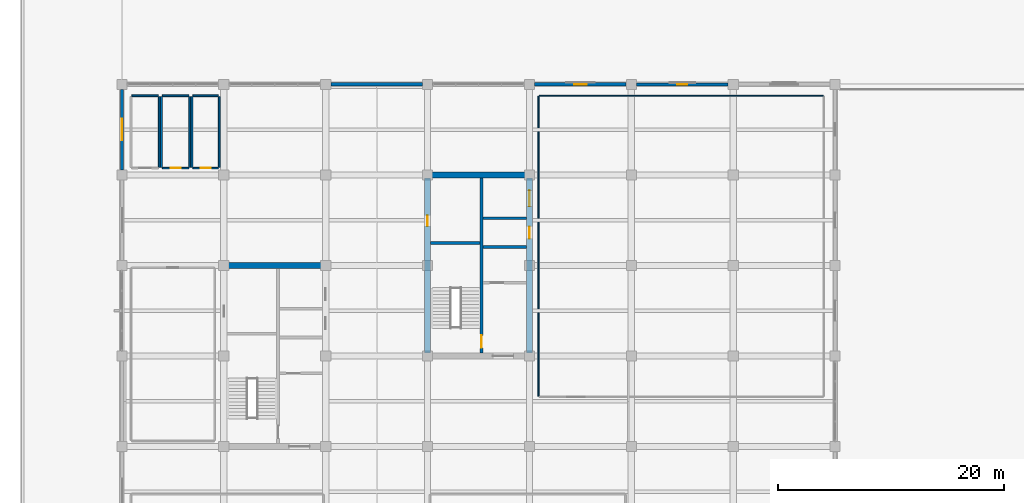
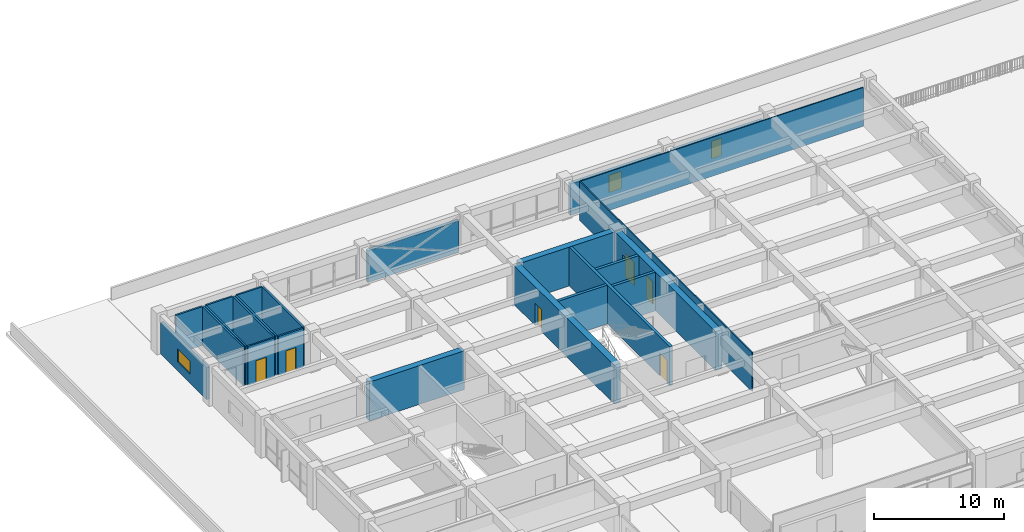
# One storey, part 21 of 34: 24 walls, 6 doors, 3 windows, 9 openings.
"""IFC4 building model written with IfcOpenShell, lengths in metres."""

import ifcopenshell
import ifcopenshell.guid

model = None  # the IFC model being written
_history = None  # IfcOwnerHistory: only IFC2X3 demands one
_inside = {}  # id of a spatial element -> (the spatial element, [elements in it])
_under = {}  # id of a project, library or spatial element -> (it, [spatial elements below it])
_declared = {}  # id of a project -> (the project, [libraries it declares])
_typed = {}  # id of a type object -> (the type object, [elements of that type])
_made_of = {}  # id of a material, layer set ... -> (it, [elements and type objects made of it])


def new_model(schema):
    """Start an empty IFC model of exactly this schema.

    Asked for "IFC4X3", IfcOpenShell would pick the latest addendum, in which some entities
    have other attributes; the version numbers below select the first issue.
    IFC2X3 requires an IfcOwnerHistory on every rooted entity: one is made here for all.
    """
    global model, _history
    if schema == "IFC4X3":
        model = ifcopenshell.file(schema_version=(4, 3, 0, 0))
    else:
        model = ifcopenshell.file(schema=schema)
    _inside.clear()
    _under.clear()
    _declared.clear()
    _typed.clear()
    _made_of.clear()
    _history = None
    if model.schema == "IFC2X3":
        org = make("IfcOrganization", Name="unknown")
        user = make(
            "IfcPersonAndOrganization",
            ThePerson=make("IfcPerson", FamilyName="unknown"),
            TheOrganization=org,
        )
        app = make(
            "IfcApplication",
            ApplicationDeveloper=org,
            Version="unknown",
            ApplicationFullName="unknown",
            ApplicationIdentifier="unknown",
        )
        _history = make(
            "IfcOwnerHistory",
            OwningUser=user,
            OwningApplication=app,
            ChangeAction="ADDED",
            CreationDate=0,
        )
    return model


def make(cls, **values):
    """One entity of the class cls with the attributes given. An attribute that is None is left unset."""
    return model.create_entity(
        cls, **{name: value for name, value in values.items() if value is not None}
    )


def rooted(cls, **values):
    """An entity with a GlobalId (a new one), such as an element, a storey or a relation."""
    return make(cls, GlobalId=ifcopenshell.guid.new(), OwnerHistory=_history, **values)


def si_unit(unit_type, name, prefix=None):
    """IfcSIUnit, for example si_unit("LENGTHUNIT", "METRE", prefix="MILLI")."""
    return make("IfcSIUnit", UnitType=unit_type, Prefix=prefix, Name=name)


def assignment(units):
    """IfcUnitAssignment: the units of a project."""
    return None if units is None else make("IfcUnitAssignment", Units=units)


def point(xyz):
    """IfcCartesianPoint."""
    return None if xyz is None else make("IfcCartesianPoint", Coordinates=xyz)


def direction(xyz):
    """IfcDirection."""
    return None if xyz is None else make("IfcDirection", DirectionRatios=xyz)


def frame(location, z_axis=None, x_axis=None):
    """IfcAxis2Placement3D, a coordinate frame: its origin and axes. An axis left out is left unset."""
    return make(
        "IfcAxis2Placement3D",
        Location=point(location),
        Axis=direction(z_axis),
        RefDirection=direction(x_axis),
    )


def frame_2d(location, x_axis=None):
    """IfcAxis2Placement2D, a coordinate frame in the plane: its origin and x axis."""
    return make(
        "IfcAxis2Placement2D", Location=point(location), RefDirection=direction(x_axis)
    )


def origin():
    """The frame at (0, 0, 0) with its axes left unset."""
    return frame((0.0, 0.0, 0.0))


def place(relative_to, where):
    """IfcLocalPlacement: puts the frame where relative to a parent placement (None: the world)."""
    return make(
        "IfcLocalPlacement", PlacementRelTo=relative_to, RelativePlacement=where
    )


def context(
    kind, dimensions, precision=None, world=None, true_north=None, identifier=None
):
    """IfcGeometricRepresentationContext, for example the 3D "Model" context."""
    return make(
        "IfcGeometricRepresentationContext",
        ContextIdentifier=identifier,
        ContextType=kind,
        CoordinateSpaceDimension=dimensions,
        Precision=precision,
        WorldCoordinateSystem=world,
        TrueNorth=true_north,
    )


def subcontext(parent, identifier, kind, view, scale=None):
    """IfcGeometricRepresentationSubContext, for example "Body" below "Model"."""
    return make(
        "IfcGeometricRepresentationSubContext",
        ContextIdentifier=identifier,
        ContextType=kind,
        ParentContext=parent,
        TargetScale=scale,
        TargetView=view,
    )


def project(units=None, contexts=None):
    """IfcProject with its units and contexts."""
    return rooted(
        "IfcProject",
        Name="project",
        RepresentationContexts=contexts,
        UnitsInContext=assignment(units),
    )


def spatial(cls, under=None, at=None, **own):
    """A site, building, storey or space (cls), placed at a placement, below another one or the project."""
    s = rooted(cls, ObjectPlacement=at, **own)
    if under is not None:
        _under.setdefault(under.id(), (under, []))[1].append(s)
    return s


def profile(cls, at=None, kind="AREA", **sizes):
    """A parametric profile (cls). Its sizes go by their IFC names, for example OverallWidth=200.0."""
    return make(cls, ProfileType=kind, Position=at, **sizes)


def rectangle(**sizes):
    """IfcRectangleProfileDef."""
    return profile("IfcRectangleProfileDef", **sizes)


def extrude(swept, where, along, depth):
    """IfcExtrudedAreaSolid: the profile swept, set in the frame where, extruded along a direction by depth."""
    return make(
        "IfcExtrudedAreaSolid",
        SweptArea=swept,
        Position=where,
        ExtrudedDirection=direction(along),
        Depth=depth,
    )


def shape(context_of_items, identifier, shape_type, items):
    """IfcShapeRepresentation: the items that make up one representation, for example the "Body"."""
    return make(
        "IfcShapeRepresentation",
        ContextOfItems=context_of_items,
        RepresentationIdentifier=identifier,
        RepresentationType=shape_type,
        Items=items,
    )


def material(Name=None, Category=None):
    """IfcMaterial."""
    return make("IfcMaterial", Name=Name, Category=Category)


def layer(
    of_material, thickness, ventilated=None, Name=None, Category=None, Priority=None
):
    """IfcMaterialLayer: one layer of a wall or slab, of a material (None: an air gap)."""
    return make(
        "IfcMaterialLayer",
        Material=of_material,
        LayerThickness=thickness,
        IsVentilated=ventilated,
        Name=Name,
        Category=Category,
        Priority=Priority,
    )


def layer_set(layers, Name=None):
    """IfcMaterialLayerSet."""
    return make("IfcMaterialLayerSet", MaterialLayers=layers, LayerSetName=Name)


def made_of(thing, what):
    """Note that an element or type object is made of a material, layer set ...; save() writes the relation."""
    if what is not None:
        _made_of.setdefault(what.id(), (what, []))[1].append(thing)
    return thing


def type_object(cls, material=None, **own):
    """A type object (cls), such as IfcWallType, which elements share."""
    return made_of(rooted(cls, **own), material)


def element(
    cls,
    number,
    at=None,
    inside=None,
    cuts=None,
    type_object=None,
    material=None,
    context=None,
    identifier="Body",
    shape_type=None,
    held_by="IfcProductDefinitionShape",
    body=None,
    shapes=None,
    **own,
):
    """One element of the class cls, such as IfcWall. Its Tag is "e" and its number.

    at: its placement. inside: the storey or other place that contains it. cuts: it is an
    opening in that element (IfcRelVoidsElement). A single representation is given by context,
    identifier, shape_type and body (its items); several are given by shapes. held_by: the class
    of the entity that holds the representations. save() writes the other relations.
    """
    e = rooted(cls, Tag="e%d" % number, ObjectPlacement=at, **own)
    if body is not None:
        shapes = [shape(context, identifier, shape_type, body)]
    if shapes is not None:
        e.Representation = make(held_by, Representations=shapes)
    if inside is not None:
        _inside.setdefault(inside.id(), (inside, []))[1].append(e)
    if cuts is not None:
        rooted(
            "IfcRelVoidsElement", RelatingBuildingElement=cuts, RelatedOpeningElement=e
        )
    if type_object is not None:
        _typed.setdefault(type_object.id(), (type_object, []))[1].append(e)
    return made_of(e, material)


def fill(opening, filler):
    """IfcRelFillsElement: the door or window that sits in an opening."""
    return rooted(
        "IfcRelFillsElement",
        RelatingOpeningElement=opening,
        RelatedBuildingElement=filler,
    )


def aggregate(whole, parts):
    """IfcRelAggregates: a whole, such as a stair, and the parts it consists of."""
    return rooted("IfcRelAggregates", RelatingObject=whole, RelatedObjects=parts)


def save(model, path):
    """Write the relations noted so far, then the file.

    IfcRelAggregates (storeys below a building ...), IfcRelContainedInSpatialStructure (elements
    in a storey), IfcRelDefinesByType, IfcRelAssociatesMaterial and IfcRelDeclares: one each for
    every whole, place, type object, material and project.
    """
    for whole, parts in _under.values():
        aggregate(whole, parts)
    for where, things in _inside.values():
        rooted(
            "IfcRelContainedInSpatialStructure",
            RelatedElements=things,
            RelatingStructure=where,
        )
    for kind, things in _typed.values():
        rooted("IfcRelDefinesByType", RelatedObjects=things, RelatingType=kind)
    for what, things in _made_of.values():
        rooted("IfcRelAssociatesMaterial", RelatedObjects=things, RelatingMaterial=what)
    for by, libraries in _declared.values():
        rooted("IfcRelDeclares", RelatingContext=by, RelatedDefinitions=libraries)
    model.write(path)


model = new_model("IFC4")

# Units and contexts
model_context = context("Model", 3, precision=1e-05, world=origin(), true_north=direction((0.0, 1.0)))
body_context = subcontext(model_context, "Body", "Model", "MODEL_VIEW")
ifc_project = project(units=[si_unit("LENGTHUNIT", "METRE"), si_unit("AREAUNIT", "SQUARE_METRE"), si_unit("VOLUMEUNIT", "CUBIC_METRE"), si_unit("PLANEANGLEUNIT", "RADIAN"), si_unit("MASSUNIT", "GRAM", prefix="KILO")], contexts=[model_context])

# Site, building, storey
site_placement = place(None, origin())
site = spatial("IfcSite", under=ifc_project, at=site_placement, CompositionType="ELEMENT")
building_placement = place(site_placement, origin())
building = spatial("IfcBuilding", under=site, at=building_placement, Name="Zaverband Oceanarium and Marine Research Institute", CompositionType="ELEMENT")
storey_placement = place(building_placement, frame((0.0, 0.0, 18.0)))
storey = spatial("IfcBuildingStorey", under=building, at=storey_placement, Name="L04", CompositionType="ELEMENT", Elevation=18.0)

# Walls
ifc_material_1 = material(Name="Concrete C50/60", Category="concrete")
ifc_layer_1 = layer(ifc_material_1, 0.550048828125, Name="Concrete C50/60")
ifc_layer_set_1 = layer_set([ifc_layer_1], Name="Concrete C50/60")
wall_type_1 = type_object("IfcWallType", Name="CW-01", PredefinedType="SHEAR", material=ifc_layer_set_1)
for number, where, z_axis, x_axis, name in (
    (1, (18.27490234375, 96.0, 0.0), (0.0, 0.0, 1.0), (1.0, 0.0, 0.0), "Structural shear wall CW-01"),
    (2, (36.27490234375, 104.0, 0.0), (0.0, 0.0, 1.0), (1.0, 0.0, 0.0), "Structural shear wall CW-01"),
):
    element("IfcWall", number, at=place(storey_placement, frame(where, z_axis=z_axis, x_axis=x_axis)), inside=storey, type_object=wall_type_1, Name=name, PredefinedType="SHEAR", context=body_context, shape_type="SweptSolid", body=[
        extrude(rectangle(XDim=8.4501953125, YDim=0.550048828125, at=frame_2d((4.22509765625, 0.0))), origin(), (0.0, 0.0, 1.0), 3.64990234375),
    ])

# Wall, opening, door
wall_1_placement = place(storey_placement, frame((36.0, 88.27490234375, 0.0), z_axis=(0.0, 0.0, 1.0), x_axis=(0.0, 1.0, 0.0)))
wall_1 = element("IfcWall", 3, at=wall_1_placement, inside=storey, type_object=wall_type_1, Name="Structural shear wall CW-01", PredefinedType="SHEAR", context=body_context, shape_type="SweptSolid", body=[
    extrude(rectangle(XDim=15.4501953125, YDim=0.550048828125, at=frame_2d((7.72509765625, 0.0))), origin(), (0.0, 0.0, 1.0), 3.64990234375),
])
opening_1_placement = place(wall_1_placement, frame((11.199951171875, 0.0, 0.0)))
opening_1 = element("IfcOpeningElement", 4, at=opening_1_placement, cuts=wall_1, Name="Opening FD-03", PredefinedType="OPENING", context=body_context, shape_type="SweptSolid", body=[
    extrude(rectangle(XDim=0.949951171875, YDim=2.10009765625, at=frame_2d((0.47509765625, 1.050048828125))), frame((0.0, 0.287109375, 0.0), z_axis=(0.0, -1.0, 0.0), x_axis=(1.0, 0.0, 0.0)), (0.0, 0.0, 1.0), 0.573974609375),
])
ifc_material_2 = material(Name="Steel S355", Category="steel")
door_type_1 = type_object("IfcDoorType", Name="FD-03", OperationType="NOTDEFINED", PredefinedType="DOOR", material=ifc_material_2)
door_1_placement = place(opening_1_placement, origin())
door_1 = element("IfcDoor", 5, at=door_1_placement, inside=storey, type_object=door_type_1, Name="Service riser access fire door FD-03", OperationType="SINGLE_SWING_RIGHT", OverallHeight=2.10009765625, OverallWidth=0.949951171875, PredefinedType="DOOR", context=body_context, shape_type="SweptSolid", body=[
    extrude(rectangle(XDim=0.949951171875, YDim=2.10009765625, at=frame_2d((0.47509765625, 1.050048828125))), frame((0.0, 0.02490234375, 0.0), z_axis=(0.0, -1.0, 0.0), x_axis=(1.0, 0.0, 0.0)), (0.0, 0.0, 1.0), 0.050048828125),
])
fill(opening_1, door_1)

# Wall, openings, doors
wall_2_placement = place(storey_placement, frame((45.0, 88.27490234375, 0.0), z_axis=(0.0, 0.0, 1.0), x_axis=(0.0, 1.0, 0.0)))
wall_2 = element("IfcWall", 6, at=wall_2_placement, inside=storey, type_object=wall_type_1, Name="Structural shear wall CW-01", PredefinedType="SHEAR", context=body_context, shape_type="SweptSolid", body=[
    extrude(rectangle(XDim=15.4501953125, YDim=0.550048828125, at=frame_2d((7.72509765625, 0.0))), origin(), (0.0, 0.0, 1.0), 3.64990234375),
])
opening_2_placement = place(wall_2_placement, frame((10.10009765625, 0.0, 0.0)))
opening_2 = element("IfcOpeningElement", 7, at=opening_2_placement, cuts=wall_2, Name="Opening LD-02", PredefinedType="OPENING", context=body_context, shape_type="SweptSolid", body=[
    extrude(rectangle(XDim=1.050048828125, YDim=2.1201171875, at=frame_2d((0.52490234375, 1.06005859375))), frame((0.0, 0.287109375, 0.0), z_axis=(0.0, -1.0, 0.0), x_axis=(1.0, 0.0, 0.0)), (0.0, 0.0, 1.0), 0.573974609375),
])
opening_3_placement = place(wall_2_placement, frame((12.949951171875, 0.0, 0.0)))
opening_3 = element("IfcOpeningElement", 8, at=opening_3_placement, cuts=wall_2, Name="Opening LD-03", PredefinedType="OPENING", context=body_context, shape_type="SweptSolid", body=[
    extrude(rectangle(XDim=1.39990234375, YDim=2.199951171875, at=frame_2d((0.699951171875, 1.10009765625))), frame((0.0, 0.287109375, 0.0), z_axis=(0.0, -1.0, 0.0), x_axis=(1.0, 0.0, 0.0)), (0.0, 0.0, 1.0), 0.573974609375),
])
door_type_2 = type_object("IfcDoorType", Name="LD-02", OperationType="DOUBLE_DOOR_SLIDING", PredefinedType="DOOR", material=ifc_material_2)
door_2_placement = place(opening_2_placement, origin())
door_2 = element("IfcDoor", 9, at=door_2_placement, inside=storey, type_object=door_type_2, Name="Passenger lift sliding landing door LD-02", OperationType="DOUBLE_DOOR_SLIDING", OverallHeight=2.1201171875, OverallWidth=1.050048828125, PredefinedType="DOOR", context=body_context, shape_type="SweptSolid", body=[
    extrude(rectangle(XDim=1.050048828125, YDim=2.1201171875, at=frame_2d((0.52490234375, 1.06005859375))), frame((0.0, 0.02490234375, 0.0), z_axis=(0.0, -1.0, 0.0), x_axis=(1.0, 0.0, 0.0)), (0.0, 0.0, 1.0), 0.050048828125),
])
fill(opening_2, door_2)
door_type_3 = type_object("IfcDoorType", Name="LD-03", OperationType="DOUBLE_DOOR_SLIDING", PredefinedType="DOOR", material=ifc_material_2)
door_3_placement = place(opening_3_placement, origin())
door_3 = element("IfcDoor", 10, at=door_3_placement, inside=storey, type_object=door_type_3, Name="Specimen goods lift sliding landing door LD-03", OperationType="DOUBLE_DOOR_SLIDING", OverallHeight=2.199951171875, OverallWidth=1.39990234375, PredefinedType="DOOR", context=body_context, shape_type="SweptSolid", body=[
    extrude(rectangle(XDim=1.39990234375, YDim=2.199951171875, at=frame_2d((0.699951171875, 1.10009765625))), frame((0.0, 0.02490234375, 0.0), z_axis=(0.0, -1.0, 0.0), x_axis=(1.0, 0.0, 0.0)), (0.0, 0.0, 1.0), 0.050048828125),
])
fill(opening_3, door_3)

# Wall, opening, window
ifc_material_3 = material(Name="Concrete C40/50 precast", Category="concrete")
ifc_layer_2 = layer(ifc_material_3, 0.264892578125, Name="Concrete C40/50 precast")
ifc_layer_set_2 = layer_set([ifc_layer_2], Name="Concrete C40/50 precast")
wall_type_2 = type_object("IfcWallType", Name="EW-265", PredefinedType="STANDARD", material=ifc_layer_set_2)
wall_3_placement = place(storey_placement, frame((54.455078125, 112.0, 0.0), z_axis=(0.0, 0.0, 1.0), x_axis=(1.0, 0.0, 0.0)))
wall_3 = element("IfcWall", 11, at=wall_3_placement, inside=storey, type_object=wall_type_2, Name="Exterior infill wall EW-265", PredefinedType="STANDARD", context=body_context, shape_type="SweptSolid", body=[
    extrude(rectangle(XDim=8.08984375, YDim=0.264892578125, at=frame_2d((4.044921875, 0.0))), origin(), (0.0, 0.0, 1.0), 2.97998046875),
])
opening_4_placement = place(wall_3_placement, frame((3.594970703125, 0.0, 0.85009765625)))
opening_4 = element("IfcOpeningElement", 12, at=opening_4_placement, cuts=wall_3, Name="Opening WN-900x1650", PredefinedType="OPENING", context=body_context, shape_type="SweptSolid", body=[
    extrude(rectangle(XDim=0.89990234375, YDim=1.64990234375, at=frame_2d((0.449951171875, 0.824951171875))), frame((0.0, 0.14453125, 0.0), z_axis=(0.0, -1.0, 0.0), x_axis=(1.0, 0.0, 0.0)), (0.0, 0.0, 1.0), 0.288818359375),
])
ifc_material_4 = material(Name="Thermally broken anodized aluminium and solar-control glass", Category="aluminium")
window_type_1 = type_object("IfcWindowType", Name="WN-900x1650", PartitioningType="SINGLE_PANEL", PredefinedType="WINDOW", material=ifc_material_4)
window_1_placement = place(opening_4_placement, origin())
window_1 = element("IfcWindow", 13, at=window_1_placement, inside=storey, type_object=window_type_1, Name="Fixed / casement exterior window WN-900x1650", OverallHeight=1.64990234375, OverallWidth=0.89990234375, PartitioningType="SINGLE_PANEL", PredefinedType="WINDOW", context=body_context, shape_type="SweptSolid", body=[
    extrude(rectangle(XDim=0.89990234375, YDim=1.64990234375, at=frame_2d((0.449951171875, 0.824951171875))), frame((0.0, 0.030029296875, 0.0), z_axis=(0.0, -1.0, 0.0), x_axis=(1.0, 0.0, 0.0)), (0.0, 0.0, 1.0), 0.06005859375),
])
fill(opening_4, window_1)

wall_4_placement = place(storey_placement, frame((9.0, 104.455078125, 0.0), z_axis=(0.0, 0.0, 1.0), x_axis=(0.0, 1.0, 0.0)))
wall_4 = element("IfcWall", 14, at=wall_4_placement, inside=storey, type_object=wall_type_2, Name="Exterior infill wall EW-265", PredefinedType="STANDARD", context=body_context, shape_type="SweptSolid", body=[
    extrude(rectangle(XDim=7.08984375, YDim=0.264892578125, at=frame_2d((3.544921875, 0.0))), origin(), (0.0, 0.0, 1.0), 2.97998046875),
])
opening_5_placement = place(wall_4_placement, frame((2.594970703125, 0.0, 0.85009765625)))
opening_5 = element("IfcOpeningElement", 15, at=opening_5_placement, cuts=wall_4, Name="Opening WN-1900x1200", PredefinedType="OPENING", context=body_context, shape_type="SweptSolid", body=[
    extrude(rectangle(XDim=1.89990234375, YDim=1.199951171875, at=frame_2d((0.949951171875, 0.60009765625))), frame((0.0, 0.14453125, 0.0), z_axis=(0.0, -1.0, 0.0), x_axis=(1.0, 0.0, 0.0)), (0.0, 0.0, 1.0), 0.288818359375),
])
window_type_2 = type_object("IfcWindowType", Name="WN-1900x1200", PartitioningType="SINGLE_PANEL", PredefinedType="WINDOW", material=ifc_material_4)
window_2_placement = place(opening_5_placement, origin())
window_2 = element("IfcWindow", 16, at=window_2_placement, inside=storey, type_object=window_type_2, Name="Fixed / casement exterior window WN-1900x1200", OverallHeight=1.199951171875, OverallWidth=1.89990234375, PartitioningType="SINGLE_PANEL", PredefinedType="WINDOW", context=body_context, shape_type="SweptSolid", body=[
    extrude(rectangle(XDim=1.89990234375, YDim=1.199951171875, at=frame_2d((0.949951171875, 0.60009765625))), frame((0.0, 0.030029296875, 0.0), z_axis=(0.0, -1.0, 0.0), x_axis=(1.0, 0.0, 0.0)), (0.0, 0.0, 1.0), 0.06005859375),
])
fill(opening_5, window_2)

# Wall
ifc_layer_3 = layer(ifc_material_3, 0.2900390625, Name="Concrete C40/50 precast")
ifc_layer_set_3 = layer_set([ifc_layer_3], Name="Concrete C40/50 precast")
wall_type_3 = type_object("IfcWallType", Name="EW-290", PredefinedType="STANDARD", material=ifc_layer_set_3)
wall_5_placement = place(storey_placement, frame((27.455078125, 112.0, 0.0), z_axis=(0.0, 0.0, 1.0), x_axis=(1.0, 0.0, 0.0)))
element("IfcWall", 17, at=wall_5_placement, inside=storey, type_object=wall_type_3, Name="Exterior infill wall EW-290", PredefinedType="STANDARD", context=body_context, shape_type="SweptSolid", body=[
    extrude(rectangle(XDim=8.08984375, YDim=0.2900390625, at=frame_2d((4.044921875, 0.0))), origin(), (0.0, 0.0, 1.0), 2.97998046875),
])

# Wall, opening, window
wall_6_placement = place(storey_placement, frame((45.455078125, 112.0, 0.0), z_axis=(0.0, 0.0, 1.0), x_axis=(1.0, 0.0, 0.0)))
wall_6 = element("IfcWall", 18, at=wall_6_placement, inside=storey, type_object=wall_type_3, Name="Exterior infill wall EW-290", PredefinedType="STANDARD", context=body_context, shape_type="SweptSolid", body=[
    extrude(rectangle(XDim=8.08984375, YDim=0.2900390625, at=frame_2d((4.044921875, 0.0))), origin(), (0.0, 0.0, 1.0), 2.97998046875),
])
opening_6_placement = place(wall_6_placement, frame((3.4951171875, 0.0, 0.85009765625)))
opening_6 = element("IfcOpeningElement", 19, at=opening_6_placement, cuts=wall_6, Name="Opening WN-1100x1650", PredefinedType="OPENING", context=body_context, shape_type="SweptSolid", body=[
    extrude(rectangle(XDim=1.10009765625, YDim=1.64990234375, at=frame_2d((0.550048828125, 0.824951171875))), frame((0.0, 0.156982421875, 0.0), z_axis=(0.0, -1.0, 0.0), x_axis=(1.0, 0.0, 0.0)), (0.0, 0.0, 1.0), 0.31396484375),
])
window_type_3 = type_object("IfcWindowType", Name="WN-1100x1650", PartitioningType="SINGLE_PANEL", PredefinedType="WINDOW", material=ifc_material_4)
window_3_placement = place(opening_6_placement, origin())
window_3 = element("IfcWindow", 20, at=window_3_placement, inside=storey, type_object=window_type_3, Name="Fixed / casement exterior window WN-1100x1650", OverallHeight=1.64990234375, OverallWidth=1.10009765625, PartitioningType="SINGLE_PANEL", PredefinedType="WINDOW", context=body_context, shape_type="SweptSolid", body=[
    extrude(rectangle(XDim=1.10009765625, YDim=1.64990234375, at=frame_2d((0.550048828125, 0.824951171875))), frame((0.0, 0.030029296875, 0.0), z_axis=(0.0, -1.0, 0.0), x_axis=(1.0, 0.0, 0.0)), (0.0, 0.0, 1.0), 0.06005859375),
])
fill(opening_6, window_3)

# Walls
ifc_material_5 = material(Name="Framed fire-rated glass laboratory partition", Category="glass")
ifc_layer_4 = layer(ifc_material_5, 0.10009765625, Name="Framed fire-rated glass laboratory partition")
ifc_layer_set_4 = layer_set([ifc_layer_4], Name="Framed fire-rated glass laboratory partition")
wall_type_4 = type_object("IfcWallType", Name="PT-100-GL", PredefinedType="PARTITIONING", material=ifc_layer_set_4)
wall_7_placement = place(storey_placement, frame((45.85009765625, 111.0, 0.0), z_axis=(0.0, 0.0, 1.0), x_axis=(1.0, 0.0, 0.0)))
element("IfcWall", 21, at=wall_7_placement, inside=storey, type_object=wall_type_4, Name="Internal partition PT-100-GL", PredefinedType="PARTITIONING", context=body_context, shape_type="SweptSolid", body=[
    extrude(rectangle(XDim=25.099853515625, YDim=0.10009765625, at=frame_2d((12.5498046875, 0.0))), origin(), (0.0, 0.0, 1.0), 3.64990234375),
])
wall_8_placement = place(storey_placement, frame((45.800048828125, 84.449951171875, 0.0), z_axis=(0.0, 0.0, 1.0), x_axis=(0.0, 1.0, 0.0)))
element("IfcWall", 22, at=wall_8_placement, inside=storey, type_object=wall_type_4, Name="Internal partition PT-100-GL", PredefinedType="PARTITIONING", context=body_context, shape_type="SweptSolid", body=[
    extrude(rectangle(XDim=26.5, YDim=0.10009765625, at=frame_2d((13.25, 0.0))), origin(), (0.0, 0.0, 1.0), 3.64990234375),
])
ifc_material_6 = material(Name="Ceramic-tiled wet-room blockwork", Category="masonry")
ifc_layer_5 = layer(ifc_material_6, 0.14990234375, Name="Ceramic-tiled wet-room blockwork")
ifc_layer_set_5 = layer_set([ifc_layer_5], Name="Ceramic-tiled wet-room blockwork")
wall_type_5 = type_object("IfcWallType", Name="PT-150-WC", PredefinedType="PARTITIONING", material=ifc_layer_set_5)
wall_9_placement = place(storey_placement, frame((9.875, 111.0, 0.0), z_axis=(0.0, 0.0, 1.0), x_axis=(1.0, 0.0, 0.0)))
element("IfcWall", 23, at=wall_9_placement, inside=storey, type_object=wall_type_5, Name="Internal partition PT-150-WC", PredefinedType="PARTITIONING", context=body_context, shape_type="SweptSolid", body=[
    extrude(rectangle(XDim=2.35009765625, YDim=0.14990234375, at=frame_2d((1.175048828125, 0.0))), origin(), (0.0, 0.0, 1.0), 3.64990234375),
])
wall_10_placement = place(storey_placement, frame((12.300048828125, 104.675048828125, 0.0), z_axis=(0.0, 0.0, 1.0), x_axis=(0.0, 1.0, 0.0)))
element("IfcWall", 24, at=wall_10_placement, inside=storey, type_object=wall_type_5, Name="Internal partition PT-150-WC", PredefinedType="PARTITIONING", context=body_context, shape_type="SweptSolid", body=[
    extrude(rectangle(XDim=6.25, YDim=0.14990234375, at=frame_2d((3.125, 0.0))), origin(), (0.0, 0.0, 1.0), 3.64990234375),
])

# Wall, opening, door
wall_11_placement = place(storey_placement, frame((12.574951171875, 104.60009765625, 0.0), z_axis=(0.0, 0.0, 1.0), x_axis=(1.0, 0.0, 0.0)))
wall_11 = element("IfcWall", 25, at=wall_11_placement, inside=storey, type_object=wall_type_5, Name="Internal partition PT-150-WC", PredefinedType="PARTITIONING", context=body_context, shape_type="SweptSolid", body=[
    extrude(rectangle(XDim=2.35009765625, YDim=0.14990234375, at=frame_2d((1.175048828125, 0.0))), origin(), (0.0, 0.0, 1.0), 3.64990234375),
])
opening_7_placement = place(wall_11_placement, frame((0.719970703125, 0.0, 0.0)))
opening_7 = element("IfcOpeningElement", 26, at=opening_7_placement, cuts=wall_11, Name="Opening ID-910x2080", PredefinedType="OPENING", context=body_context, shape_type="SweptSolid", body=[
    extrude(rectangle(XDim=0.909912109375, YDim=2.080078125, at=frame_2d((0.455078125, 1.0400390625))), frame((0.0, 0.0869140625, 0.0), z_axis=(0.0, -1.0, 0.0), x_axis=(1.0, 0.0, 0.0)), (0.0, 0.0, 1.0), 0.173828125),
])
ifc_material_7 = material(Name="Hardwood-veneered acoustic timber", Category="wood")
door_type_4 = type_object("IfcDoorType", Name="ID-910x2080", OperationType="NOTDEFINED", PredefinedType="DOOR", material=ifc_material_7)
door_4_placement = place(opening_7_placement, origin())
door_4 = element("IfcDoor", 27, at=door_4_placement, inside=storey, type_object=door_type_4, Name="Sanitary washroom entrance door ID-910x2080", OperationType="SINGLE_SWING_RIGHT", OverallHeight=2.080078125, OverallWidth=0.909912109375, PredefinedType="DOOR", context=body_context, shape_type="SweptSolid", body=[
    extrude(rectangle(XDim=0.909912109375, YDim=2.080078125, at=frame_2d((0.455078125, 1.0400390625))), frame((0.0, 0.02490234375, 0.0), z_axis=(0.0, -1.0, 0.0), x_axis=(1.0, 0.0, 0.0)), (0.0, 0.0, 1.0), 0.050048828125),
])
fill(opening_7, door_4)

# Walls
wall_12_placement = place(storey_placement, frame((12.574951171875, 111.0, 0.0), z_axis=(0.0, 0.0, 1.0), x_axis=(1.0, 0.0, 0.0)))
element("IfcWall", 28, at=wall_12_placement, inside=storey, type_object=wall_type_5, Name="Internal partition PT-150-WC", PredefinedType="PARTITIONING", context=body_context, shape_type="SweptSolid", body=[
    extrude(rectangle(XDim=2.35009765625, YDim=0.14990234375, at=frame_2d((1.175048828125, 0.0))), origin(), (0.0, 0.0, 1.0), 3.64990234375),
])
for number, where, z_axis, x_axis, name in (
    (29, (12.5, 104.675048828125, 0.0), (0.0, 0.0, 1.0), (0.0, 1.0, 0.0), "Internal partition PT-150-WC"),
    (30, (15.0, 104.675048828125, 0.0), (0.0, 0.0, 1.0), (0.0, 1.0, 0.0), "Internal partition PT-150-WC"),
):
    element("IfcWall", number, at=place(storey_placement, frame(where, z_axis=z_axis, x_axis=x_axis)), inside=storey, type_object=wall_type_5, Name=name, PredefinedType="PARTITIONING", context=body_context, shape_type="SweptSolid", body=[
        extrude(rectangle(XDim=6.25, YDim=0.14990234375, at=frame_2d((3.125, 0.0))), origin(), (0.0, 0.0, 1.0), 3.64990234375),
    ])

# Wall, opening, door
wall_13_placement = place(storey_placement, frame((15.27490234375, 104.60009765625, 0.0), z_axis=(0.0, 0.0, 1.0), x_axis=(1.0, 0.0, 0.0)))
wall_13 = element("IfcWall", 31, at=wall_13_placement, inside=storey, type_object=wall_type_5, Name="Internal partition PT-150-WC", PredefinedType="PARTITIONING", context=body_context, shape_type="SweptSolid", body=[
    extrude(rectangle(XDim=2.25, YDim=0.14990234375, at=frame_2d((1.125, 0.0))), origin(), (0.0, 0.0, 1.0), 3.64990234375),
])
opening_8_placement = place(wall_13_placement, frame((0.679931640625, 0.0, 0.0)))
opening_8 = element("IfcOpeningElement", 32, at=opening_8_placement, cuts=wall_13, Name="Opening ID-890x2060", PredefinedType="OPENING", context=body_context, shape_type="SweptSolid", body=[
    extrude(rectangle(XDim=0.889892578125, YDim=2.06005859375, at=frame_2d((0.44482421875, 1.030029296875))), frame((0.0, 0.0869140625, 0.0), z_axis=(0.0, -1.0, 0.0), x_axis=(1.0, 0.0, 0.0)), (0.0, 0.0, 1.0), 0.173828125),
])
door_type_5 = type_object("IfcDoorType", Name="ID-890x2060", OperationType="NOTDEFINED", PredefinedType="DOOR", material=ifc_material_7)
door_5_placement = place(opening_8_placement, origin())
door_5 = element("IfcDoor", 33, at=door_5_placement, inside=storey, type_object=door_type_5, Name="Staff WC door ID-890x2060", OperationType="SINGLE_SWING_LEFT", OverallHeight=2.06005859375, OverallWidth=0.889892578125, PredefinedType="DOOR", context=body_context, shape_type="SweptSolid", body=[
    extrude(rectangle(XDim=0.889892578125, YDim=2.06005859375, at=frame_2d((0.44482421875, 1.030029296875))), frame((0.0, 0.02490234375, 0.0), z_axis=(0.0, -1.0, 0.0), x_axis=(1.0, 0.0, 0.0)), (0.0, 0.0, 1.0), 0.050048828125),
])
fill(opening_8, door_5)

# Walls
wall_14_placement = place(storey_placement, frame((15.27490234375, 111.0, 0.0), z_axis=(0.0, 0.0, 1.0), x_axis=(1.0, 0.0, 0.0)))
element("IfcWall", 34, at=wall_14_placement, inside=storey, type_object=wall_type_5, Name="Internal partition PT-150-WC", PredefinedType="PARTITIONING", context=body_context, shape_type="SweptSolid", body=[
    extrude(rectangle(XDim=2.25, YDim=0.14990234375, at=frame_2d((1.125, 0.0))), origin(), (0.0, 0.0, 1.0), 3.64990234375),
])
for number, where, z_axis, x_axis, name in (
    (35, (15.199951171875, 104.675048828125, 0.0), (0.0, 0.0, 1.0), (0.0, 1.0, 0.0), "Internal partition PT-150-WC"),
    (36, (17.60009765625, 104.675048828125, 0.0), (0.0, 0.0, 1.0), (0.0, 1.0, 0.0), "Internal partition PT-150-WC"),
):
    element("IfcWall", number, at=place(storey_placement, frame(where, z_axis=z_axis, x_axis=x_axis)), inside=storey, type_object=wall_type_5, Name=name, PredefinedType="PARTITIONING", context=body_context, shape_type="SweptSolid", body=[
        extrude(rectangle(XDim=6.25, YDim=0.14990234375, at=frame_2d((3.125, 0.0))), origin(), (0.0, 0.0, 1.0), 3.64990234375),
    ])

# Wall, opening, door
ifc_layer_6 = layer(ifc_material_1, 0.25, Name="Concrete C50/60")
ifc_layer_set_6 = layer_set([ifc_layer_6], Name="Concrete C50/60")
wall_type_6 = type_object("IfcWallType", Name="PW-CORE-250", PredefinedType="SOLIDWALL", material=ifc_layer_set_6)
wall_15_placement = place(storey_placement, frame((40.77490234375, 88.27490234375, 0.0), z_axis=(0.0, 0.0, 1.0), x_axis=(0.0, 1.0, 0.0)))
wall_15 = element("IfcWall", 37, at=wall_15_placement, inside=storey, type_object=wall_type_6, Name="Structural concrete wall PW-CORE-250", PredefinedType="SOLIDWALL", context=body_context, shape_type="SweptSolid", body=[
    extrude(rectangle(XDim=15.4501953125, YDim=0.25, at=frame_2d((7.72509765625, 0.0))), origin(), (0.0, 0.0, 1.0), 3.64990234375),
])
opening_9_placement = place(wall_15_placement, frame((0.449951171875, 0.0, 0.0)))
opening_9 = element("IfcOpeningElement", 38, at=opening_9_placement, cuts=wall_15, Name="Opening FD-01", PredefinedType="OPENING", context=body_context, shape_type="SweptSolid", body=[
    extrude(rectangle(XDim=1.10009765625, YDim=2.14990234375, at=frame_2d((0.550048828125, 1.074951171875))), frame((0.0, 0.136962890625, 0.0), z_axis=(0.0, -1.0, 0.0), x_axis=(1.0, 0.0, 0.0)), (0.0, 0.0, 1.0), 0.27392578125),
])
door_type_6 = type_object("IfcDoorType", Name="FD-01", OperationType="NOTDEFINED", PredefinedType="DOOR", material=ifc_material_2)
door_6_placement = place(opening_9_placement, origin())
door_6 = element("IfcDoor", 39, at=door_6_placement, inside=storey, type_object=door_type_6, Name="Core stair / lobby fire door FD-01", OperationType="SINGLE_SWING_LEFT", OverallHeight=2.14990234375, OverallWidth=1.10009765625, PredefinedType="DOOR", context=body_context, shape_type="SweptSolid", body=[
    extrude(rectangle(XDim=1.10009765625, YDim=2.14990234375, at=frame_2d((0.550048828125, 1.074951171875))), frame((0.0, 0.02490234375, 0.0), z_axis=(0.0, -1.0, 0.0), x_axis=(1.0, 0.0, 0.0)), (0.0, 0.0, 1.0), 0.050048828125),
])
fill(opening_9, door_6)

# Walls
wall_16_placement = place(storey_placement, frame((36.27490234375, 97.97509765625, 0.0), z_axis=(0.0, 0.0, 1.0), x_axis=(1.0, 0.0, 0.0)))
element("IfcWall", 40, at=wall_16_placement, inside=storey, type_object=wall_type_6, Name="Structural concrete wall PW-CORE-250", PredefinedType="SOLIDWALL", context=body_context, shape_type="SweptSolid", body=[
    extrude(rectangle(XDim=4.3701171875, YDim=0.25, at=frame_2d((2.18505859375, 0.0))), origin(), (0.0, 0.0, 1.0), 3.64990234375),
])
for number, where, z_axis, x_axis, name in (
    (41, (40.905029296875, 97.6298828125, 0.0), (0.0, 0.0, 1.0), (1.0, 0.0, 0.0), "Structural concrete wall PW-CORE-250"),
    (42, (40.905029296875, 100.179931640625, 0.0), (0.0, 0.0, 1.0), (1.0, 0.0, 0.0), "Structural concrete wall PW-CORE-250"),
):
    element("IfcWall", number, at=place(storey_placement, frame(where, z_axis=z_axis, x_axis=x_axis)), inside=storey, type_object=wall_type_6, Name=name, PredefinedType="SOLIDWALL", context=body_context, shape_type="SweptSolid", body=[
        extrude(rectangle(XDim=3.820068359375, YDim=0.25, at=frame_2d((1.91015625, 0.0))), origin(), (0.0, 0.0, 1.0), 3.64990234375),
    ])

save(model, "model.ifc")
